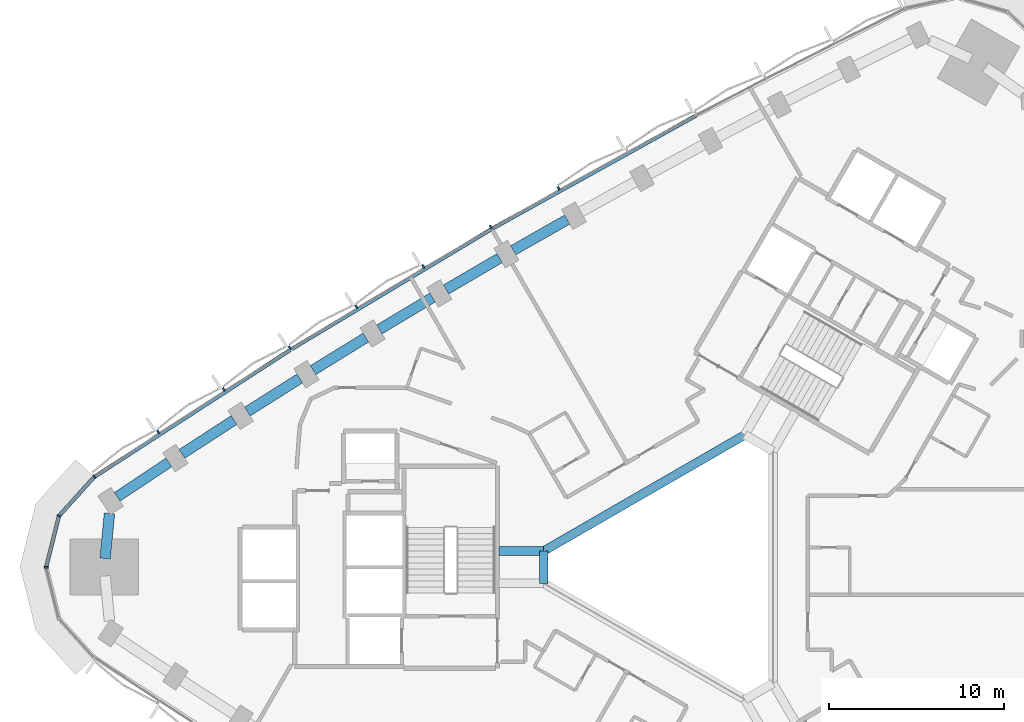
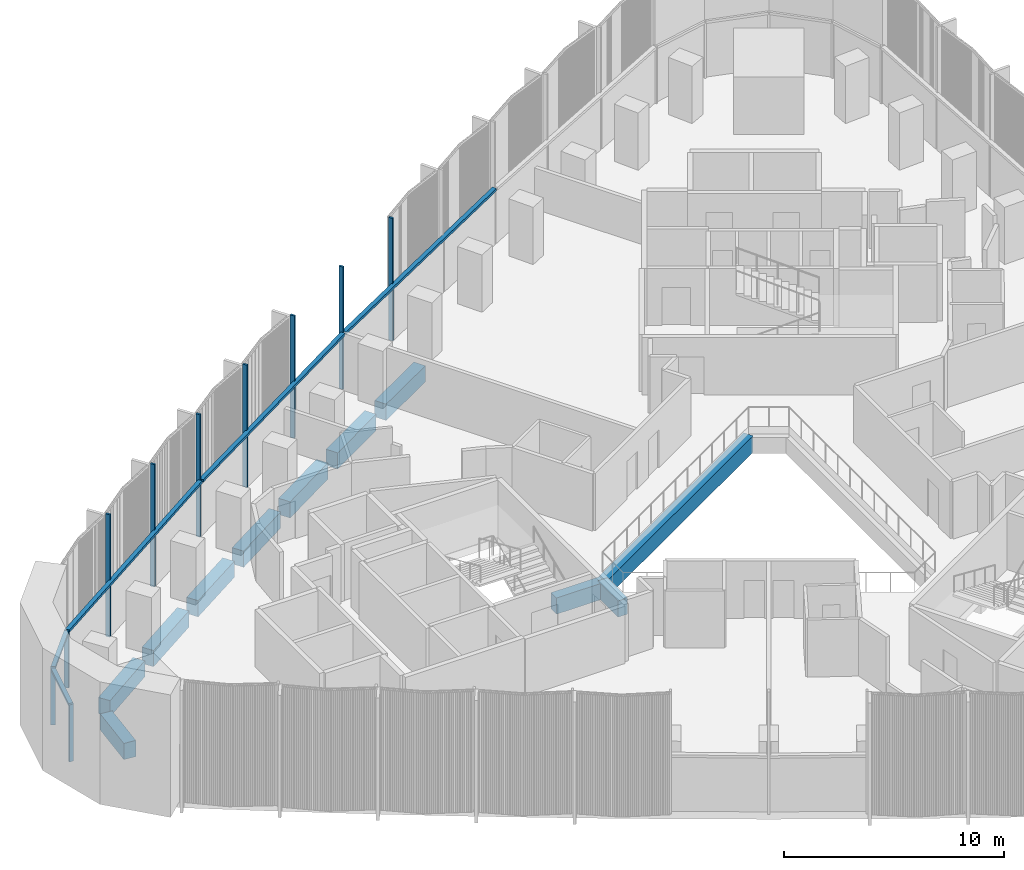
# One storey, part 4 of 15: 15 members, 11 beams, 1 element without a shape of its own.
"""IFC4 building model written with IfcOpenShell, lengths in metres."""

from ifc_helpers import new_model, si_unit, direction, frame, origin, origin_2d, place, context, subcontext, project, spatial, rectangle, extrude, material, material_profile, profile_set, type_object, element, aggregate, save


model = new_model("IFC4")

# Units and contexts
model_context = context("Model", 3, precision=1e-05, world=origin(), true_north=direction((0.0, 1.0)))
body_context = subcontext(model_context, "Body", "Model", "MODEL_VIEW")
ifc_project = project(units=[si_unit("LENGTHUNIT", "METRE"), si_unit("AREAUNIT", "SQUARE_METRE"), si_unit("VOLUMEUNIT", "CUBIC_METRE"), si_unit("PLANEANGLEUNIT", "RADIAN"), si_unit("MASSUNIT", "GRAM", prefix="KILO")], contexts=[model_context])

# Site, building, storey
site_placement = place(None, origin())
site = spatial("IfcSite", under=ifc_project, at=site_placement, CompositionType="ELEMENT")
building_placement = place(site_placement, origin())
building = spatial("IfcBuilding", under=site, at=building_placement, Name="Tamra Quay Hotel Tower", CompositionType="ELEMENT")
storey_placement = place(building_placement, frame((0.0, 0.0, 111.800048828125)))
storey = spatial("IfcBuildingStorey", under=building, at=storey_placement, Name="L27", CompositionType="ELEMENT", Elevation=111.800048828125)

# Beams
ifc_material_1 = material(Name="Concrete M60", Category="concrete")
ifc_material_profile_1 = material_profile(ifc_material_1, rectangle(XDim=0.5, YDim=0.89990234375, at=origin_2d()), Name="ATRIUM EDGE BEAM RC 500x900")
ifc_profile_set_1 = profile_set([ifc_material_profile_1], Name="Concrete M60")
beam_type_1 = type_object("IfcBeamType", Name="ATRIUM EDGE BEAM RC 500x900", PredefinedType="BEAM", material=ifc_profile_set_1)
beam_1_placement = place(storey_placement, frame((-8.199951171875, -0.923828125, -0.875), z_axis=(0.0, 1.0, 0.0), x_axis=(-1.0, 0.0, 0.0)))
element("IfcBeam", 1, at=beam_1_placement, inside=storey, type_object=beam_type_1, Name="BM-AB3-L27", PredefinedType="BEAM", context=body_context, shape_type="SweptSolid", body=[
    extrude(rectangle(XDim=0.5, YDim=0.89990234375, at=origin_2d()), origin(), (0.0, 0.0, 1.0), 1.84765625),
])
beam_2_placement = place(storey_placement, frame((-8.199951171875, 0.923828125, -0.875), z_axis=(0.866029440693, 0.499993007805, 0.0), x_axis=(-0.499993007805, 0.866029440693, 0.0)))
element("IfcBeam", 2, at=beam_2_placement, inside=storey, type_object=beam_type_1, Name="BM-AB4-L27", PredefinedType="BEAM", context=body_context, shape_type="SweptSolid", body=[
    extrude(rectangle(XDim=0.5, YDim=0.89990234375, at=origin_2d()), origin(), (0.0, 0.0, 1.0), 13.279052734375),
])
ifc_material_profile_2 = material_profile(ifc_material_1, rectangle(XDim=0.5, YDim=0.89990234375, at=origin_2d()), Name="ATRIUM TIE BEAM RC 500x900")
ifc_profile_set_2 = profile_set([ifc_material_profile_2], Name="Concrete M60")
beam_type_2 = type_object("IfcBeamType", Name="ATRIUM TIE BEAM RC 500x900", PredefinedType="BEAM", material=ifc_profile_set_2)
beam_3_placement = place(storey_placement, frame((-8.199951171875, 0.923828125, -0.875), z_axis=(-1.0, 0.0, 0.0), x_axis=(0.0, -1.0, 0.0)))
element("IfcBeam", 3, at=beam_3_placement, inside=storey, type_object=beam_type_2, Name="BM-TIE-4-L27", PredefinedType="BEAM", context=body_context, shape_type="SweptSolid", body=[
    extrude(rectangle(XDim=0.5, YDim=0.89990234375, at=origin_2d()), origin(), (0.0, 0.0, 1.0), 2.562255859375),
])

# Curtain wall, members
ifc_material_2 = material(Name="Aluminium 6063 anodised dark grey", Category="aluminium")
curtain_wall_type = type_object("IfcCurtainWallType", Name="CW2 CURTAIN WALL", PredefinedType="NOTDEFINED", material=ifc_material_2)
curtain_wall_placement = place(storey_placement, origin())
curtain_wall = element("IfcCurtainWall", 4, at=curtain_wall_placement, inside=storey, type_object=curtain_wall_type, Name="CW2 north-west face L27", PredefinedType="NOTDEFINED")
ifc_material_profile_3 = material_profile(ifc_material_2, rectangle(XDim=0.219970703125, YDim=0.10009765625, at=origin_2d()), Name="MULLION 100X220")
ifc_profile_set_3 = profile_set([ifc_material_profile_3], Name="Aluminium 6063 anodised dark grey")
member_type_1 = type_object("IfcMemberType", Name="MULLION CW2 Z2", PredefinedType="MULLION", material=ifc_profile_set_3)
member_1_placement = place(storey_placement, frame((-7.341796875, 21.646728515625, 0.0), z_axis=(0.0, 0.0, 1.0), x_axis=(-0.490074355228, 0.87168063323, 0.0)))
member_1 = element("IfcMember", 5, at=member_1_placement, type_object=member_type_1, Name="CW2 mullion L27.NW.6", PredefinedType="MULLION", context=body_context, shape_type="SweptSolid", body=[
    extrude(rectangle(XDim=0.219970703125, YDim=0.10009765625, at=origin_2d()), origin(), (0.0, 0.0, 1.0), 6.800048828125),
])
member_2_placement = place(storey_placement, frame((-11.221435546875, 19.436279296875, 0.0), z_axis=(0.0, 0.0, 1.0), x_axis=(-0.5, 0.866025403784, 0.0)))
member_2 = element("IfcMember", 6, at=member_2_placement, type_object=member_type_1, Name="CW2 mullion L27.NW.7", PredefinedType="MULLION", context=body_context, shape_type="SweptSolid", body=[
    extrude(rectangle(XDim=0.219970703125, YDim=0.10009765625, at=origin_2d()), origin(), (0.0, 0.0, 1.0), 6.800048828125),
])
member_3_placement = place(storey_placement, frame((-15.07568359375, 17.181396484375, 0.0), z_axis=(0.0, 0.0, 1.0), x_axis=(-0.50986039475, 0.860257157985, 0.0)))
member_3 = element("IfcMember", 7, at=member_3_placement, type_object=member_type_1, Name="CW2 mullion L27.NW.8", PredefinedType="MULLION", context=body_context, shape_type="SweptSolid", body=[
    extrude(rectangle(XDim=0.219970703125, YDim=0.10009765625, at=origin_2d()), origin(), (0.0, 0.0, 1.0), 6.800048828125),
])
member_4_placement = place(storey_placement, frame((-18.90380859375, 14.883056640625, 0.0), z_axis=(0.0, 0.0, 1.0), x_axis=(-0.519649964402, 0.854379256827, 0.0)))
member_4 = element("IfcMember", 8, at=member_4_placement, type_object=member_type_1, Name="CW2 mullion L27.NW.9", PredefinedType="MULLION", context=body_context, shape_type="SweptSolid", body=[
    extrude(rectangle(XDim=0.219970703125, YDim=0.10009765625, at=origin_2d()), origin(), (0.0, 0.0, 1.0), 6.800048828125),
])
member_5_placement = place(storey_placement, frame((-22.70556640625, 12.540771484375, 0.0), z_axis=(0.0, 0.0, 1.0), x_axis=(-0.529364244047, 0.848394658826, 0.0)))
member_5 = element("IfcMember", 9, at=member_5_placement, type_object=member_type_1, Name="CW2 mullion L27.NW.10", PredefinedType="MULLION", context=body_context, shape_type="SweptSolid", body=[
    extrude(rectangle(XDim=0.219970703125, YDim=0.10009765625, at=origin_2d()), origin(), (0.0, 0.0, 1.0), 6.800048828125),
])
member_6_placement = place(storey_placement, frame((-26.480224609375, 10.155517578125, 0.0), z_axis=(0.0, 0.0, 1.0), x_axis=(-0.538998382955, 0.842306798721, 0.0)))
member_6 = element("IfcMember", 10, at=member_6_placement, type_object=member_type_1, Name="CW2 mullion L27.NW.11", PredefinedType="MULLION", context=body_context, shape_type="SweptSolid", body=[
    extrude(rectangle(XDim=0.219970703125, YDim=0.10009765625, at=origin_2d()), origin(), (0.0, 0.0, 1.0), 6.800048828125),
])
member_7_placement = place(storey_placement, frame((-30.2275390625, 7.7275390625, 0.0), z_axis=(0.0, 0.0, 1.0), x_axis=(-0.548547395815, 0.836119461886, 0.0)))
member_7 = element("IfcMember", 11, at=member_7_placement, type_object=member_type_1, Name="CW2 mullion L27.NW.12", PredefinedType="MULLION", context=body_context, shape_type="SweptSolid", body=[
    extrude(rectangle(XDim=0.219970703125, YDim=0.10009765625, at=origin_2d()), origin(), (0.0, 0.0, 1.0), 6.800048828125),
])
member_8_placement = place(storey_placement, frame((-33.88525390625, 5.166015625, 0.0), z_axis=(0.0, 0.0, 1.0), x_axis=(-0.652886907072, 0.757455402366, 0.0)))
member_8 = element("IfcMember", 12, at=member_8_placement, type_object=member_type_1, Name="CW2 mullion L27.NW.13", PredefinedType="MULLION", context=body_context, shape_type="SweptSolid", body=[
    extrude(rectangle(XDim=0.219970703125, YDim=0.10009765625, at=origin_2d()), origin(), (0.0, 0.0, 1.0), 3.175048828125),
])
member_9_placement = place(storey_placement, frame((-35.90673828125, 2.9267578125, 0.0), z_axis=(0.0, 0.0, 1.0), x_axis=(-0.882543846683, 0.47023011248, 0.0)))
member_9 = element("IfcMember", 13, at=member_9_placement, type_object=member_type_1, Name="CW2 mullion L27.NW.14", PredefinedType="MULLION", context=body_context, shape_type="SweptSolid", body=[
    extrude(rectangle(XDim=0.219970703125, YDim=0.10009765625, at=origin_2d()), origin(), (0.0, 0.0, 1.0), 3.175048828125),
])
member_10_placement = place(storey_placement, frame((-36.6376953125, 0.0, 0.0), z_axis=(0.0, 0.0, 1.0), x_axis=(-1.0, 0.0, 0.0)))
member_10 = element("IfcMember", 14, at=member_10_placement, type_object=member_type_1, Name="CW2 mullion L27.NW.15", PredefinedType="MULLION", context=body_context, shape_type="SweptSolid", body=[
    extrude(rectangle(XDim=0.219970703125, YDim=0.10009765625, at=origin_2d()), origin(), (0.0, 0.0, 1.0), 3.175048828125),
])

# Beams
ifc_material_profile_4 = material_profile(ifc_material_1, rectangle(XDim=0.60009765625, YDim=0.89990234375, at=origin_2d()), Name="SPANDREL BEAM RC 600x900")
ifc_profile_set_4 = profile_set([ifc_material_profile_4], Name="Concrete M60")
beam_type_3 = type_object("IfcBeamType", Name="SPANDREL BEAM RC 600x900", PredefinedType="SPANDREL", material=ifc_profile_set_4)
beam_4_placement = place(storey_placement, frame((-6.8583984375, 19.868896484375, -0.875), z_axis=(-0.868869699181, -0.495040852704, 0.0), x_axis=(0.495040852704, -0.868869699181, 0.0)))
element("IfcBeam", 15, at=beam_4_placement, inside=storey, type_object=beam_type_3, Name="BM-SP2-019-L27", PredefinedType="SPANDREL", context=body_context, shape_type="SweptSolid", body=[
    extrude(rectangle(XDim=0.60009765625, YDim=0.89990234375, at=origin_2d()), origin(), (0.0, 0.0, 1.0), 3.544921875),
])
for number, where, z_axis, x_axis, name in (
    (16, (-10.718017578125, 17.6640625, -0.875), (-0.863128698129, -0.504984010109, 0.0), (0.504984010109, -0.863128698129, 0.0), "BM-SP2-020-L27"),
    (17, (-14.552001953125, 15.415283203125, -0.875), (-0.857286231776, -0.514840088578, 0.0), (0.514840088578, -0.857286231776, 0.0), "BM-SP2-021-L27"),
):
    element("IfcBeam", number, at=place(storey_placement, frame(where, z_axis=z_axis, x_axis=x_axis)), inside=storey, type_object=beam_type_3, Name=name, PredefinedType="SPANDREL", context=body_context, shape_type="SweptSolid", body=[
        extrude(rectangle(XDim=0.60009765625, YDim=0.89990234375, at=origin_2d()), origin(), (0.0, 0.0, 1.0), 3.544677734375),
    ])
for number, where, z_axis, x_axis, name in (
    (18, (-18.35986328125, 13.122802734375, -0.875), (-0.851393361846, -0.524527733685, 0.0), (0.524527733685, -0.851393361846, 0.0), "BM-SP2-022-L27"),
    (19, (-22.1416015625, 10.787109375, -0.875), (-0.845333394052, -0.534239134566, 0.0), (0.534239134566, -0.845333394052, 0.0), "BM-SP2-023-L27"),
):
    element("IfcBeam", number, at=place(storey_placement, frame(where, z_axis=z_axis, x_axis=x_axis)), inside=storey, type_object=beam_type_3, Name=name, PredefinedType="SPANDREL", context=body_context, shape_type="SweptSolid", body=[
        extrude(rectangle(XDim=0.60009765625, YDim=0.89990234375, at=origin_2d()), origin(), (0.0, 0.0, 1.0), 3.544921875),
    ])
beam_5_placement = place(storey_placement, frame((-25.896240234375, 8.408203125, -0.875), z_axis=(-0.839237385713, -0.543765216266, 0.0), x_axis=(0.543765216266, -0.839237385713, 0.0)))
element("IfcBeam", 20, at=beam_5_placement, inside=storey, type_object=beam_type_3, Name="BM-SP2-024-L27", PredefinedType="SPANDREL", context=body_context, shape_type="SweptSolid", body=[
    extrude(rectangle(XDim=0.60009765625, YDim=0.89990234375, at=origin_2d()), origin(), (0.0, 0.0, 1.0), 3.544677734375),
])
beam_6_placement = place(storey_placement, frame((-29.623779296875, 5.98681640625, -0.875), z_axis=(-0.832981511469, -0.55330082374, 0.0), x_axis=(0.55330082374, -0.832981511469, 0.0)))
element("IfcBeam", 21, at=beam_6_placement, inside=storey, type_object=beam_type_3, Name="BM-SP2-025-L27", PredefinedType="SPANDREL", context=body_context, shape_type="SweptSolid", body=[
    extrude(rectangle(XDim=0.60009765625, YDim=0.89990234375, at=origin_2d()), origin(), (0.0, 0.0, 1.0), 3.544921875),
])
beam_7_placement = place(storey_placement, frame((-33.019287109375, 3.070556640625, -0.875), z_axis=(-0.09550001445, -0.995429428558, 0.0), x_axis=(0.995429428558, -0.09550001445, 0.0)))
element("IfcBeam", 22, at=beam_7_placement, inside=storey, type_object=beam_type_3, Name="BM-SP2-026-L27", PredefinedType="SPANDREL", context=body_context, shape_type="SweptSolid", body=[
    extrude(rectangle(XDim=0.60009765625, YDim=0.89990234375, at=origin_2d()), origin(), (0.0, 0.0, 1.0), 2.58447265625),
])

# Member
ifc_material_profile_5 = material_profile(ifc_material_2, rectangle(XDim=0.219970703125, YDim=0.139892578125, at=origin_2d()), Name="TRANSOM 220X140")
ifc_profile_set_5 = profile_set([ifc_material_profile_5], Name="Aluminium 6063 anodised dark grey")
member_type_2 = type_object("IfcMemberType", Name="TRANSOM CW2 Z2", PredefinedType="USERDEFINED", material=ifc_profile_set_5)
member_11_placement = place(storey_placement, frame((0.499755859375, 25.813232421875, 3.10498046875), z_axis=(-0.874463819192, -0.48509074298, 0.0), x_axis=(0.48509074298, -0.874463819192, 0.0)))
member_11 = element("IfcMember", 23, at=member_11_placement, type_object=member_type_2, Name="CW2 transom L27.NW.4", ObjectType="TRANSOM", PredefinedType="USERDEFINED", context=body_context, shape_type="SweptSolid", body=[
    extrude(rectangle(XDim=0.219970703125, YDim=0.139892578125, at=origin_2d()), origin(), (0.0, 0.0, 1.0), 13.291259765625),
])

member_12_placement = place(storey_placement, frame((-11.209716796875, 19.315673828125, 3.10498046875), z_axis=(-0.857334050853, -0.514760454238, 0.0), x_axis=(0.514760454238, -0.857334050853, 0.0)))
member_12 = element("IfcMember", 24, at=member_12_placement, type_object=member_type_2, Name="CW2 transom L27.NW.7", ObjectType="TRANSOM", PredefinedType="USERDEFINED", context=body_context, shape_type="SweptSolid", body=[
    extrude(rectangle(XDim=0.219970703125, YDim=0.139892578125, at=origin_2d()), origin(), (0.0, 0.0, 1.0), 13.291259765625),
])

member_13_placement = place(storey_placement, frame((-22.689453125, 12.4208984375, 3.10498046875), z_axis=(-0.839227967527, -0.543779751849, 0.0), x_axis=(0.543779751849, -0.839227967527, 0.0)))
member_13 = element("IfcMember", 25, at=member_13_placement, type_object=member_type_2, Name="CW2 transom L27.NW.10", ObjectType="TRANSOM", PredefinedType="USERDEFINED", context=body_context, shape_type="SweptSolid", body=[
    extrude(rectangle(XDim=0.219970703125, YDim=0.139892578125, at=origin_2d()), origin(), (0.0, 0.0, 1.0), 13.290771484375),
])

member_14_placement = place(storey_placement, frame((-33.918701171875, 5.12890625, 3.10498046875), z_axis=(-0.670064659649, -0.742302736011, 0.0), x_axis=(0.742302736011, -0.670064659649, 0.0)))
member_14 = element("IfcMember", 26, at=member_14_placement, type_object=member_type_2, Name="CW2 transom L27.NW.13", ObjectType="TRANSOM", PredefinedType="USERDEFINED", context=body_context, shape_type="SweptSolid", body=[
    extrude(rectangle(XDim=0.219970703125, YDim=0.139892578125, at=origin_2d()), origin(), (0.0, 0.0, 1.0), 2.916748046875),
])

member_15_placement = place(storey_placement, frame((-35.918701171875, 2.878173828125, 3.10498046875), z_axis=(-0.242338656789, -0.970191720963, 0.0), x_axis=(0.970191720963, -0.242338656789, 0.0)))
member_15 = element("IfcMember", 27, at=member_15_placement, type_object=member_type_2, Name="CW2 transom L27.NW.14", ObjectType="TRANSOM", PredefinedType="USERDEFINED", context=body_context, shape_type="SweptSolid", body=[
    extrude(rectangle(XDim=0.219970703125, YDim=0.139892578125, at=origin_2d()), origin(), (0.0, 0.0, 1.0), 2.91650390625),
])

aggregate(curtain_wall, [member_11, member_1, member_2, member_12, member_3, member_4, member_5, member_13, member_6, member_7, member_8, member_14, member_9, member_15, member_10])

save(model, "model.ifc")
